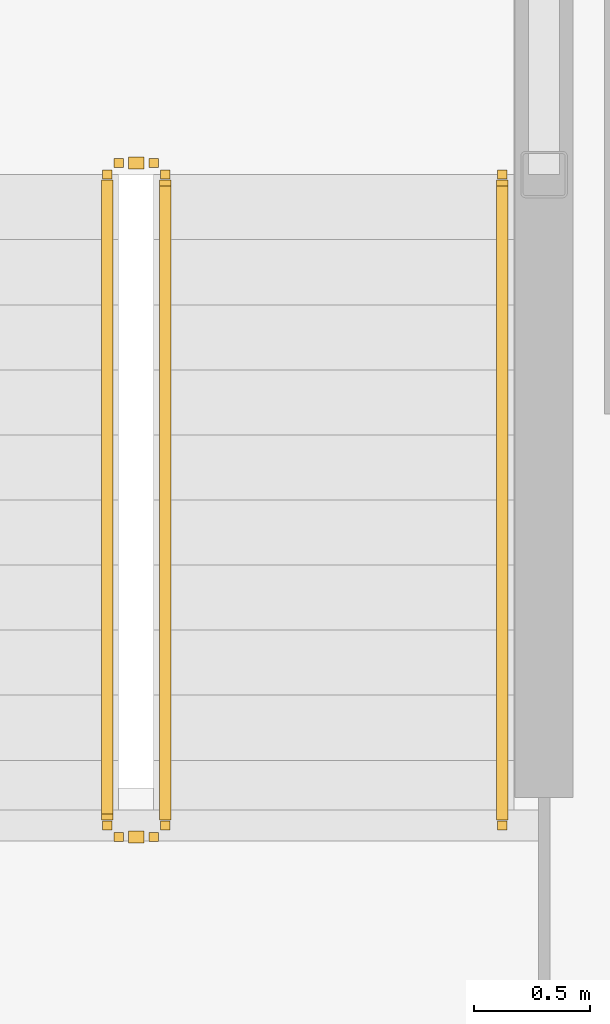
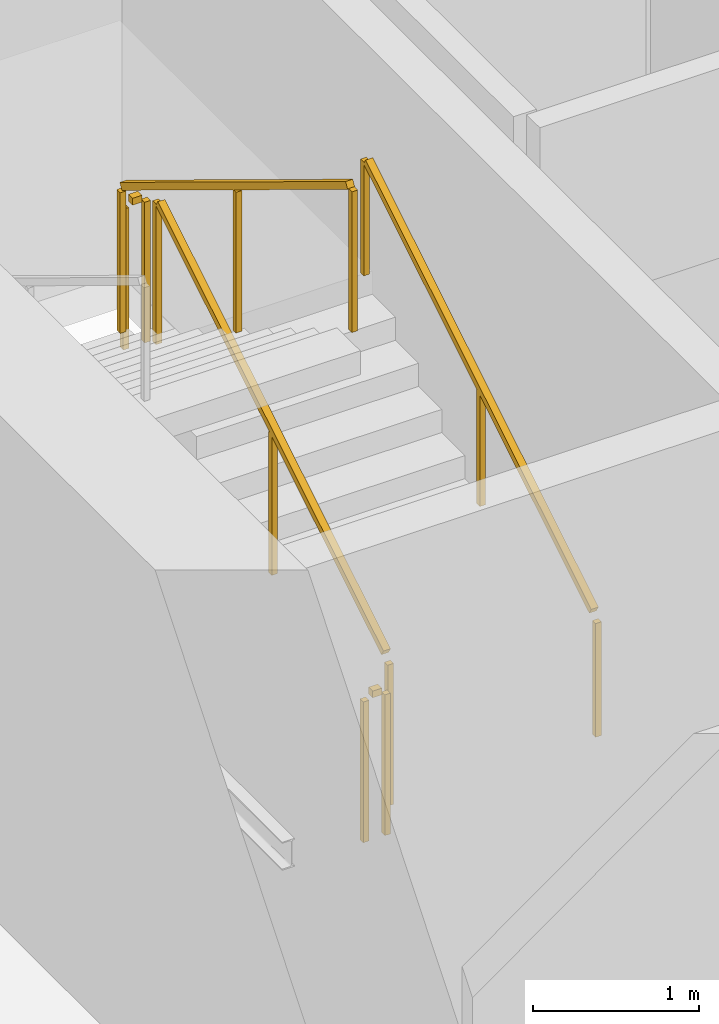
# One storey, part 17 of 20: 5 railings.
"""IFC4 building model written with IfcOpenShell, lengths in metres."""

import ifcopenshell
import ifcopenshell.guid

model = None  # the IFC model being written
_history = None  # IfcOwnerHistory: only IFC2X3 demands one
_inside = {}  # id of a spatial element -> (the spatial element, [elements in it])
_under = {}  # id of a project, library or spatial element -> (it, [spatial elements below it])
_declared = {}  # id of a project -> (the project, [libraries it declares])
_typed = {}  # id of a type object -> (the type object, [elements of that type])
_made_of = {}  # id of a material, layer set ... -> (it, [elements and type objects made of it])


def new_model(schema):
    """Start an empty IFC model of exactly this schema.

    Asked for "IFC4X3", IfcOpenShell would pick the latest addendum, in which some entities
    have other attributes; the version numbers below select the first issue.
    IFC2X3 requires an IfcOwnerHistory on every rooted entity: one is made here for all.
    """
    global model, _history
    if schema == "IFC4X3":
        model = ifcopenshell.file(schema_version=(4, 3, 0, 0))
    else:
        model = ifcopenshell.file(schema=schema)
    _inside.clear()
    _under.clear()
    _declared.clear()
    _typed.clear()
    _made_of.clear()
    _history = None
    if model.schema == "IFC2X3":
        org = make("IfcOrganization", Name="unknown")
        user = make(
            "IfcPersonAndOrganization",
            ThePerson=make("IfcPerson", FamilyName="unknown"),
            TheOrganization=org,
        )
        app = make(
            "IfcApplication",
            ApplicationDeveloper=org,
            Version="unknown",
            ApplicationFullName="unknown",
            ApplicationIdentifier="unknown",
        )
        _history = make(
            "IfcOwnerHistory",
            OwningUser=user,
            OwningApplication=app,
            ChangeAction="ADDED",
            CreationDate=0,
        )
    return model


def make(cls, **values):
    """One entity of the class cls with the attributes given. An attribute that is None is left unset."""
    return model.create_entity(
        cls, **{name: value for name, value in values.items() if value is not None}
    )


def rooted(cls, **values):
    """An entity with a GlobalId (a new one), such as an element, a storey or a relation."""
    return make(cls, GlobalId=ifcopenshell.guid.new(), OwnerHistory=_history, **values)


def si_unit(unit_type, name, prefix=None):
    """IfcSIUnit, for example si_unit("LENGTHUNIT", "METRE", prefix="MILLI")."""
    return make("IfcSIUnit", UnitType=unit_type, Prefix=prefix, Name=name)


def assignment(units):
    """IfcUnitAssignment: the units of a project."""
    return None if units is None else make("IfcUnitAssignment", Units=units)


def point(xyz):
    """IfcCartesianPoint."""
    return None if xyz is None else make("IfcCartesianPoint", Coordinates=xyz)


def direction(xyz):
    """IfcDirection."""
    return None if xyz is None else make("IfcDirection", DirectionRatios=xyz)


def frame(location, z_axis=None, x_axis=None):
    """IfcAxis2Placement3D, a coordinate frame: its origin and axes. An axis left out is left unset."""
    return make(
        "IfcAxis2Placement3D",
        Location=point(location),
        Axis=direction(z_axis),
        RefDirection=direction(x_axis),
    )


def frame_2d(location, x_axis=None):
    """IfcAxis2Placement2D, a coordinate frame in the plane: its origin and x axis."""
    return make(
        "IfcAxis2Placement2D", Location=point(location), RefDirection=direction(x_axis)
    )


def origin():
    """The frame at (0, 0, 0) with its axes left unset."""
    return frame((0.0, 0.0, 0.0))


def origin_2d():
    """The frame at (0, 0) in the plane with its x axis left unset."""
    return frame_2d((0.0, 0.0))


def place(relative_to, where):
    """IfcLocalPlacement: puts the frame where relative to a parent placement (None: the world)."""
    return make(
        "IfcLocalPlacement", PlacementRelTo=relative_to, RelativePlacement=where
    )


def context(
    kind, dimensions, precision=None, world=None, true_north=None, identifier=None
):
    """IfcGeometricRepresentationContext, for example the 3D "Model" context."""
    return make(
        "IfcGeometricRepresentationContext",
        ContextIdentifier=identifier,
        ContextType=kind,
        CoordinateSpaceDimension=dimensions,
        Precision=precision,
        WorldCoordinateSystem=world,
        TrueNorth=true_north,
    )


def subcontext(parent, identifier, kind, view, scale=None):
    """IfcGeometricRepresentationSubContext, for example "Body" below "Model"."""
    return make(
        "IfcGeometricRepresentationSubContext",
        ContextIdentifier=identifier,
        ContextType=kind,
        ParentContext=parent,
        TargetScale=scale,
        TargetView=view,
    )


def project(units=None, contexts=None):
    """IfcProject with its units and contexts."""
    return rooted(
        "IfcProject",
        Name="project",
        RepresentationContexts=contexts,
        UnitsInContext=assignment(units),
    )


def spatial(cls, under=None, at=None, **own):
    """A site, building, storey or space (cls), placed at a placement, below another one or the project."""
    s = rooted(cls, ObjectPlacement=at, **own)
    if under is not None:
        _under.setdefault(under.id(), (under, []))[1].append(s)
    return s


def profile(cls, at=None, kind="AREA", **sizes):
    """A parametric profile (cls). Its sizes go by their IFC names, for example OverallWidth=200.0."""
    return make(cls, ProfileType=kind, Position=at, **sizes)


def rectangle(**sizes):
    """IfcRectangleProfileDef."""
    return profile("IfcRectangleProfileDef", **sizes)


def extrude(swept, where, along, depth):
    """IfcExtrudedAreaSolid: the profile swept, set in the frame where, extruded along a direction by depth."""
    return make(
        "IfcExtrudedAreaSolid",
        SweptArea=swept,
        Position=where,
        ExtrudedDirection=direction(along),
        Depth=depth,
    )


def shape(context_of_items, identifier, shape_type, items):
    """IfcShapeRepresentation: the items that make up one representation, for example the "Body"."""
    return make(
        "IfcShapeRepresentation",
        ContextOfItems=context_of_items,
        RepresentationIdentifier=identifier,
        RepresentationType=shape_type,
        Items=items,
    )


def material(Name=None, Category=None):
    """IfcMaterial."""
    return make("IfcMaterial", Name=Name, Category=Category)


def made_of(thing, what):
    """Note that an element or type object is made of a material, layer set ...; save() writes the relation."""
    if what is not None:
        _made_of.setdefault(what.id(), (what, []))[1].append(thing)
    return thing


def type_object(cls, material=None, **own):
    """A type object (cls), such as IfcWallType, which elements share."""
    return made_of(rooted(cls, **own), material)


def element(
    cls,
    number,
    at=None,
    inside=None,
    cuts=None,
    type_object=None,
    material=None,
    context=None,
    identifier="Body",
    shape_type=None,
    held_by="IfcProductDefinitionShape",
    body=None,
    shapes=None,
    **own,
):
    """One element of the class cls, such as IfcWall. Its Tag is "e" and its number.

    at: its placement. inside: the storey or other place that contains it. cuts: it is an
    opening in that element (IfcRelVoidsElement). A single representation is given by context,
    identifier, shape_type and body (its items); several are given by shapes. held_by: the class
    of the entity that holds the representations. save() writes the other relations.
    """
    e = rooted(cls, Tag="e%d" % number, ObjectPlacement=at, **own)
    if body is not None:
        shapes = [shape(context, identifier, shape_type, body)]
    if shapes is not None:
        e.Representation = make(held_by, Representations=shapes)
    if inside is not None:
        _inside.setdefault(inside.id(), (inside, []))[1].append(e)
    if cuts is not None:
        rooted(
            "IfcRelVoidsElement", RelatingBuildingElement=cuts, RelatedOpeningElement=e
        )
    if type_object is not None:
        _typed.setdefault(type_object.id(), (type_object, []))[1].append(e)
    return made_of(e, material)


def aggregate(whole, parts):
    """IfcRelAggregates: a whole, such as a stair, and the parts it consists of."""
    return rooted("IfcRelAggregates", RelatingObject=whole, RelatedObjects=parts)


def save(model, path):
    """Write the relations noted so far, then the file.

    IfcRelAggregates (storeys below a building ...), IfcRelContainedInSpatialStructure (elements
    in a storey), IfcRelDefinesByType, IfcRelAssociatesMaterial and IfcRelDeclares: one each for
    every whole, place, type object, material and project.
    """
    for whole, parts in _under.values():
        aggregate(whole, parts)
    for where, things in _inside.values():
        rooted(
            "IfcRelContainedInSpatialStructure",
            RelatedElements=things,
            RelatingStructure=where,
        )
    for kind, things in _typed.values():
        rooted("IfcRelDefinesByType", RelatedObjects=things, RelatingType=kind)
    for what, things in _made_of.values():
        rooted("IfcRelAssociatesMaterial", RelatedObjects=things, RelatingMaterial=what)
    for by, libraries in _declared.values():
        rooted("IfcRelDeclares", RelatingContext=by, RelatedDefinitions=libraries)
    model.write(path)


model = new_model("IFC4")

# Units and contexts
model_context = context("Model", 3, precision=1e-05, world=origin(), true_north=direction((0.0, 1.0)))
body_context = subcontext(model_context, "Body", "Model", "MODEL_VIEW")
ifc_project = project(units=[si_unit("LENGTHUNIT", "METRE"), si_unit("AREAUNIT", "SQUARE_METRE"), si_unit("VOLUMEUNIT", "CUBIC_METRE"), si_unit("PLANEANGLEUNIT", "RADIAN"), si_unit("MASSUNIT", "GRAM", prefix="KILO")], contexts=[model_context])

# Site, building, storey
site_placement = place(None, origin())
site = spatial("IfcSite", under=ifc_project, at=site_placement, CompositionType="ELEMENT")
building_placement = place(site_placement, origin())
building = spatial("IfcBuilding", under=site, at=building_placement, Name="Kazma Halo Residences", CompositionType="ELEMENT")
storey_placement = place(building_placement, frame((0.0, 0.0, 131.550048828125)))
storey = spatial("IfcBuildingStorey", under=building, at=storey_placement, Name="L32", CompositionType="ELEMENT", Elevation=131.550048828125)

# Railings
ifc_material_1 = material(Name="Painted Steel S355", Category="steel")
railing_type_1 = type_object("IfcRailingType", Name="RLG-STAIR-GRD-1100", PredefinedType="GUARDRAIL", material=ifc_material_1)
railing_1_placement = place(storey_placement, frame((39.550048828125, 39.949951171875, 0.17041015625)))
element("IfcRailing", 1, at=railing_1_placement, inside=storey, type_object=railing_type_1, Name="L32 ST-01 stair guard 1", PredefinedType="GUARDRAIL", context=body_context, shape_type="SweptSolid", body=[
    extrude(rectangle(XDim=0.050048828125, YDim=0.050048828125, at=origin_2d()), frame((0.0, 0.036376953125, 1.09716796875), z_axis=(0.0, 0.854169791009, 0.51999420009), x_axis=(-1.0, 0.0, 0.0)), (0.0, 0.0, 1.0), 3.193115234375),
    extrude(rectangle(XDim=0.0400390625, YDim=0.0400390625, at=origin_2d()), origin(), (0.0, 0.0, 1.0), 1.0380859375),
    extrude(rectangle(XDim=0.0400390625, YDim=0.0400390625, at=origin_2d()), frame((0.0, 1.39990234375, 0.852294921875)), (0.0, 0.0, 1.0), 1.0380859375),
    extrude(rectangle(XDim=0.0400390625, YDim=0.0400390625, at=origin_2d()), frame((0.0, 2.800048828125, 1.70458984375)), (0.0, 0.0, 1.0), 1.0380859375),
])
railing_2_placement = place(storey_placement, frame((39.5, 42.800048828125, 1.875)))
element("IfcRailing", 2, at=railing_2_placement, inside=storey, type_object=railing_type_1, Name="L32 ST-01 stair guard 2", PredefinedType="GUARDRAIL", context=body_context, shape_type="SweptSolid", body=[
    extrude(rectangle(XDim=0.050048828125, YDim=0.050048828125, at=origin_2d()), frame((-0.04248046875, 0.0, 1.0751953125), z_axis=(-1.0, 0.0, 0.0), x_axis=(0.0, -1.0, 0.0)), (0.0, 0.0, 1.0), 0.06494140625),
    extrude(rectangle(XDim=0.0400390625, YDim=0.0400390625, at=origin_2d()), origin(), (0.0, 0.0, 1.0), 1.0380859375),
    extrude(rectangle(XDim=0.0400390625, YDim=0.0400390625, at=origin_2d()), frame((-0.14990234375, 0.0, 0.0)), (0.0, 0.0, 1.0), 1.0380859375),
])
railing_3_placement = place(storey_placement, frame((39.300048828125, 42.75, 2.04541015625)))
element("IfcRailing", 3, at=railing_3_placement, inside=storey, type_object=railing_type_1, Name="L32 ST-01 stair guard 3", PredefinedType="GUARDRAIL", context=body_context, shape_type="SweptSolid", body=[
    extrude(rectangle(XDim=0.050048828125, YDim=0.050048828125, at=origin_2d()), frame((0.0, -0.036376953125, 1.09716796875), z_axis=(0.0, -0.854169791009, 0.51999420009), x_axis=(1.0, 0.0, 0.0)), (0.0, 0.0, 1.0), 3.193115234375),
    extrude(rectangle(XDim=0.0400390625, YDim=0.0400390625, at=origin_2d()), origin(), (0.0, 0.0, 1.0), 1.0380859375),
    extrude(rectangle(XDim=0.0400390625, YDim=0.0400390625, at=origin_2d()), frame((0.0, -1.39990234375, 0.852294921875)), (0.0, 0.0, 1.0), 1.0380859375),
    extrude(rectangle(XDim=0.0400390625, YDim=0.0400390625, at=origin_2d()), frame((0.0, -2.800048828125, 1.70458984375)), (0.0, 0.0, 1.0), 1.0380859375),
])
railing_4_placement = place(storey_placement, frame((39.5, 39.89990234375, 0.0)))
element("IfcRailing", 4, at=railing_4_placement, inside=storey, type_object=railing_type_1, Name="L32 ST-01 stair guard 4", PredefinedType="GUARDRAIL", context=body_context, shape_type="SweptSolid", body=[
    extrude(rectangle(XDim=0.050048828125, YDim=0.050048828125, at=origin_2d()), frame((-0.04248046875, 0.0, 1.0751953125), z_axis=(-1.0, 0.0, 0.0), x_axis=(0.0, -1.0, 0.0)), (0.0, 0.0, 1.0), 0.06494140625),
    extrude(rectangle(XDim=0.0400390625, YDim=0.0400390625, at=origin_2d()), origin(), (0.0, 0.0, 1.0), 1.0380859375),
    extrude(rectangle(XDim=0.0400390625, YDim=0.0400390625, at=origin_2d()), frame((-0.14990234375, 0.0, 0.0)), (0.0, 0.0, 1.0), 1.0380859375),
])
ifc_material_2 = material(Name="Brushed Stainless Steel", Category="steel")
railing_type_2 = type_object("IfcRailingType", Name="RLG-STAIR-HND-900", PredefinedType="HANDRAIL", material=ifc_material_2)
railing_5_placement = place(storey_placement, frame((41.0, 39.949951171875, 0.17041015625)))
element("IfcRailing", 5, at=railing_5_placement, inside=storey, type_object=railing_type_2, Name="L32 ST-01 stair handrail 1", PredefinedType="HANDRAIL", context=body_context, shape_type="SweptSolid", body=[
    extrude(rectangle(XDim=0.050048828125, YDim=0.050048828125, at=origin_2d()), frame((0.0, 0.036376953125, 0.89697265625), z_axis=(0.0, 0.854169791009, 0.51999420009), x_axis=(-1.0, 0.0, 0.0)), (0.0, 0.0, 1.0), 3.193115234375),
    extrude(rectangle(XDim=0.0400390625, YDim=0.0400390625, at=origin_2d()), origin(), (0.0, 0.0, 1.0), 0.837890625),
    extrude(rectangle(XDim=0.0400390625, YDim=0.0400390625, at=origin_2d()), frame((0.0, 1.39990234375, 0.852294921875)), (0.0, 0.0, 1.0), 0.837890625),
    extrude(rectangle(XDim=0.0400390625, YDim=0.0400390625, at=origin_2d()), frame((0.0, 2.800048828125, 1.70458984375)), (0.0, 0.0, 1.0), 0.837890625),
])

save(model, "model.ifc")
